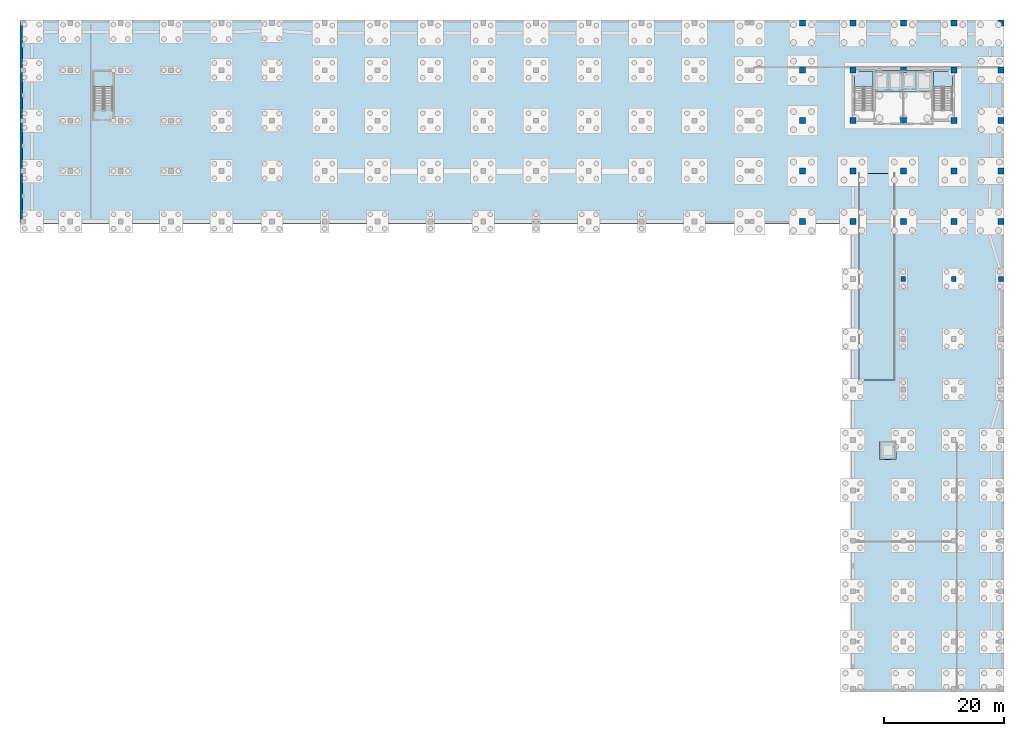
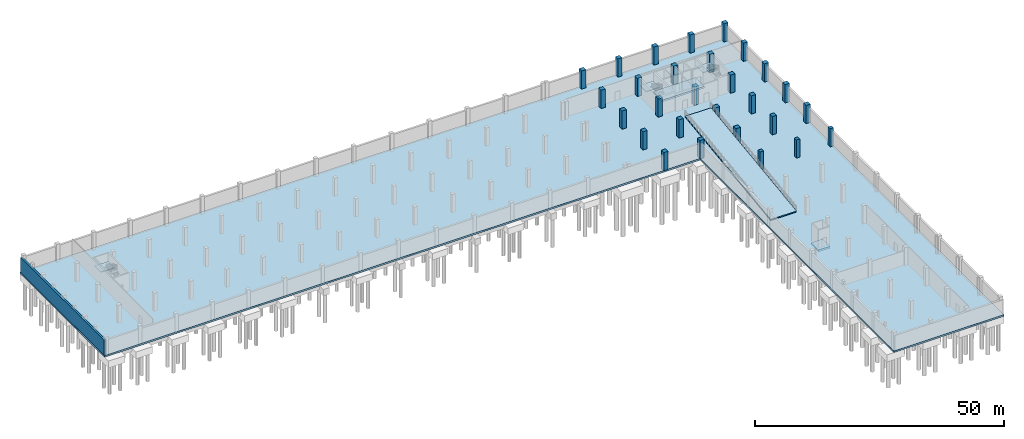
# One storey, part 8 of 18: 28 columns, 7 slabs, 1 wall, 3 elements without a shape of their own.
"""IFC4 building model written with IfcOpenShell, lengths in metres."""

from ifc_helpers import new_model, si_unit, direction, frame, frame_2d, origin, origin_2d, place, context, subcontext, project, spatial, polyline, rectangle, outline, extrude, material, layer, layer_set, material_profile, profile_set, type_object, element, aggregate, save


model = new_model("IFC4")

# Units and contexts
model_context = context("Model", 3, precision=1e-05, world=origin(), true_north=direction((0.0, 1.0)))
body_context = subcontext(model_context, "Body", "Model", "MODEL_VIEW")
ifc_project = project(units=[si_unit("LENGTHUNIT", "METRE"), si_unit("AREAUNIT", "SQUARE_METRE"), si_unit("VOLUMEUNIT", "CUBIC_METRE"), si_unit("PLANEANGLEUNIT", "RADIAN"), si_unit("MASSUNIT", "GRAM", prefix="KILO")], contexts=[model_context])

# Site, building, storey
site_placement = place(None, origin())
site = spatial("IfcSite", under=ifc_project, at=site_placement, CompositionType="ELEMENT")
building_placement = place(site_placement, origin())
building = spatial("IfcBuilding", under=site, at=building_placement, Name="Brinegate Botanical Conservatory", CompositionType="ELEMENT")
storey_placement = place(building_placement, frame((0.0, 0.0, -9.60009765625)))
storey = spatial("IfcBuildingStorey", under=building, at=storey_placement, Name="B2", CompositionType="ELEMENT", Elevation=-9.60009765625)

# Columns
ifc_material_1 = material(Name="Concrete C50/60", Category="concrete")
ifc_material_profile_1 = material_profile(ifc_material_1, rectangle(XDim=1.0, YDim=1.0, at=origin_2d()), Name="RC COL 1000x1000")
ifc_profile_set_1 = profile_set([ifc_material_profile_1], Name="Concrete C50/60")
column_type_1 = type_object("IfcColumnType", Name="Col_C-T1", PredefinedType="COLUMN", material=ifc_profile_set_1)
for number, where, z_axis, x_axis, name in (
    (1, (130.39990234375, 78.39990234375, 0.0), (0.0, 0.0, 1.0), (1.0, 0.0, 0.0), "Column C-T1 B2 K-17"),
    (2, (130.39990234375, 86.800048828125, 0.0), (0.0, 0.0, 1.0), (1.0, 0.0, 0.0), "Column C-T1 B2 L-17"),
    (3, (130.39990234375, 95.199951171875, 0.0), (0.0, 0.0, 1.0), (1.0, 0.0, 0.0), "Column C-T1 B2 M-17"),
    (4, (130.39990234375, 103.60009765625, 0.0), (0.0, 0.0, 1.0), (1.0, 0.0, 0.0), "Column C-T1 B2 N-17"),
    (5, (130.39990234375, 111.449951171875, 0.0), (0.0, 0.0, 1.0), (1.0, 0.0, 0.0), "Column C-T1 B2 P-17"),
    (6, (138.800048828125, 78.39990234375, 0.0), (0.0, 0.0, 1.0), (1.0, 0.0, 0.0), "Column C-T1 B2 K-18"),
    (7, (138.800048828125, 86.800048828125, 0.0), (0.0, 0.0, 1.0), (1.0, 0.0, 0.0), "Column C-T1 B2 L-18"),
    (8, (138.800048828125, 95.199951171875, 0.0), (0.0, 0.0, 1.0), (1.0, 0.0, 0.0), "Column C-T1 B2 M-18"),
    (9, (138.800048828125, 103.60009765625, 0.0), (0.0, 0.0, 1.0), (1.0, 0.0, 0.0), "Column C-T1 B2 N-18"),
    (10, (138.800048828125, 111.449951171875, 0.0), (0.0, 0.0, 1.0), (1.0, 0.0, 0.0), "Column C-T1 B2 P-18"),
    (11, (147.199951171875, 78.39990234375, 0.0), (0.0, 0.0, 1.0), (1.0, 0.0, 0.0), "Column C-T1 B2 K-19"),
    (12, (147.199951171875, 86.800048828125, 0.0), (0.0, 0.0, 1.0), (1.0, 0.0, 0.0), "Column C-T1 B2 L-19"),
    (13, (147.199951171875, 95.199951171875, 0.0), (0.0, 0.0, 1.0), (1.0, 0.0, 0.0), "Column C-T1 B2 M-19"),
    (14, (147.199951171875, 103.60009765625, 0.0), (0.0, 0.0, 1.0), (1.0, 0.0, 0.0), "Column C-T1 B2 N-19"),
    (15, (147.199951171875, 111.449951171875, 0.0), (0.0, 0.0, 1.0), (1.0, 0.0, 0.0), "Column C-T1 B2 P-19"),
    (16, (155.60009765625, 78.39990234375, 0.0), (0.0, 0.0, 1.0), (1.0, 0.0, 0.0), "Column C-T1 B2 K-20"),
    (17, (155.60009765625, 86.800048828125, 0.0), (0.0, 0.0, 1.0), (1.0, 0.0, 0.0), "Column C-T1 B2 L-20"),
    (18, (155.60009765625, 95.199951171875, 0.0), (0.0, 0.0, 1.0), (1.0, 0.0, 0.0), "Column C-T1 B2 M-20"),
    (19, (155.60009765625, 103.60009765625, 0.0), (0.0, 0.0, 1.0), (1.0, 0.0, 0.0), "Column C-T1 B2 N-20"),
    (20, (155.60009765625, 111.449951171875, 0.0), (0.0, 0.0, 1.0), (1.0, 0.0, 0.0), "Column C-T1 B2 P-20"),
    (21, (163.449951171875, 78.39990234375, 0.0), (0.0, 0.0, 1.0), (1.0, 0.0, 0.0), "Column C-T1 B2 K-21"),
    (22, (163.449951171875, 86.800048828125, 0.0), (0.0, 0.0, 1.0), (1.0, 0.0, 0.0), "Column C-T1 B2 L-21"),
    (23, (163.449951171875, 95.199951171875, 0.0), (0.0, 0.0, 1.0), (1.0, 0.0, 0.0), "Column C-T1 B2 M-21"),
    (24, (163.449951171875, 103.60009765625, 0.0), (0.0, 0.0, 1.0), (1.0, 0.0, 0.0), "Column C-T1 B2 N-21"),
    (25, (163.449951171875, 111.449951171875, 0.0), (0.0, 0.0, 1.0), (1.0, 0.0, 0.0), "Column C-T1 B2 P-21"),
):
    element("IfcColumn", number, at=place(storey_placement, frame(where, z_axis=z_axis, x_axis=x_axis)), inside=storey, type_object=column_type_1, Name=name, PredefinedType="COLUMN", context=body_context, shape_type="SweptSolid", body=[
        extrude(rectangle(XDim=1.0, YDim=1.0, at=origin_2d()), origin(), (0.0, 0.0, 1.0), 4.47998046875),
    ])
ifc_material_2 = material(Name="Concrete C40/50", Category="concrete")
ifc_material_profile_2 = material_profile(ifc_material_2, rectangle(XDim=0.800048828125, YDim=0.800048828125, at=origin_2d()), Name="RC COL 800x800")
ifc_profile_set_2 = profile_set([ifc_material_profile_2], Name="Concrete C40/50")
column_type_2 = type_object("IfcColumnType", Name="Col_C-W1", PredefinedType="COLUMN", material=ifc_profile_set_2)
for number, where, z_axis, x_axis, name in (
    (26, (147.199951171875, 68.800048828125, 0.0), (0.0, 0.0, 1.0), (1.0, 0.0, 0.0), "Column C-W1 B2 J-19"),
    (27, (155.60009765625, 68.800048828125, 0.0), (0.0, 0.0, 1.0), (1.0, 0.0, 0.0), "Column C-W1 B2 J-20"),
    (28, (163.449951171875, 68.800048828125, 0.0), (0.0, 0.0, 1.0), (1.0, 0.0, 0.0), "Column C-W1 B2 J-21"),
):
    element("IfcColumn", number, at=place(storey_placement, frame(where, z_axis=z_axis, x_axis=x_axis)), inside=storey, type_object=column_type_2, Name=name, PredefinedType="COLUMN", context=body_context, shape_type="SweptSolid", body=[
        extrude(rectangle(XDim=0.800048828125, YDim=0.800048828125, at=origin_2d()), origin(), (0.0, 0.0, 1.0), 4.47998046875),
    ])

# Slabs
ifc_layer_1 = layer(ifc_material_2, 0.39990234375, Name="Concrete C40/50", Category="concrete")
ifc_layer_set_1 = layer_set([ifc_layer_1], Name="Concrete C40/50")
slab_type_1 = type_object("IfcSlabType", Name="Slab_SL-BS400", PredefinedType="BASESLAB", material=ifc_layer_set_1)
slab_1_placement = place(storey_placement, frame((0.0, 0.0, -0.39990234375)))
element("IfcSlab", 29, at=slab_1_placement, inside=storey, type_object=slab_type_1, Name="Basement B2 waterproof raft base slab", PredefinedType="BASESLAB", context=body_context, shape_type="SweptSolid", body=[
    extrude(outline(polyline([(0.030029296875, 78.02001953125), (138.419921875, 78.02001953125), (138.419921875, 0.030029296875), (163.969970703125, 0.030029296875), (163.969970703125, 111.969970703125), (0.030029296875, 111.969970703125), (0.030029296875, 78.02001953125)])), origin(), (0.0, 0.0, 1.0), 0.39990234375),
])
ifc_layer_2 = layer(ifc_material_2, 0.449951171875, Name="Concrete C40/50", Category="concrete")
ifc_layer_set_2 = layer_set([ifc_layer_2], Name="Concrete C40/50")
slab_type_2 = type_object("IfcSlabType", Name="Slab_SL-BS450", PredefinedType="BASESLAB", material=ifc_layer_set_2)
slab_2_placement = place(storey_placement, frame((0.0, 0.0, -0.849853515625)))
element("IfcSlab", 30, at=slab_2_placement, inside=storey, type_object=slab_type_2, Name="Tower lift bank LF1-LF4 unified pit base slab", PredefinedType="BASESLAB", context=body_context, shape_type="SweptSolid", body=[
    extrude(outline(polyline([(142.300048828125, 100.0), (152.10009765625, 100.0), (152.10009765625, 103.60009765625), (142.300048828125, 103.60009765625), (142.300048828125, 100.0)])), origin(), (0.0, 0.0, 1.0), 0.449951171875),
])
slab_3_placement = place(storey_placement, frame((0.0, 0.0, -0.849853515625)))
element("IfcSlab", 31, at=slab_3_placement, inside=storey, type_object=slab_type_2, Name="Auditorium lift LF6 pit base slab", PredefinedType="BASESLAB", context=body_context, shape_type="SweptSolid", body=[
    extrude(outline(polyline([(143.25, 38.75), (145.949951171875, 38.75), (145.949951171875, 41.75), (143.25, 41.75), (143.25, 38.75)])), origin(), (0.0, 0.0, 1.0), 0.449951171875),
])

# Stair, slab
stair_type = type_object("IfcStairType", Name="Stair_HT-4800", PredefinedType="HALF_TURN_STAIR", material=ifc_material_2)
stair_1_placement = place(storey_placement, origin())
stair_1 = element("IfcStair", 32, at=stair_1_placement, inside=storey, type_object=stair_type, Name="B2 Tower West Smoke-Proof Stair ST1", PredefinedType="HALF_TURN_STAIR")
ifc_layer_3 = layer(ifc_material_2, 0.199951171875, Name="Concrete C40/50", Category="concrete")
ifc_layer_set_3 = layer_set([ifc_layer_3], Name="Concrete C40/50")
slab_type_3 = type_object("IfcSlabType", Name="Slab_SL-LD200", PredefinedType="LANDING", material=ifc_layer_set_3)
slab_4_placement = place(storey_placement, frame((0.0, 0.0, 2.2001953125)))
slab_4 = element("IfcSlab", 33, at=slab_4_placement, type_object=slab_type_3, Name="ST1 landing 1", PredefinedType="LANDING", context=body_context, shape_type="SweptSolid", body=[
    extrude(outline(polyline([(142.14990234375, 100.820068359375), (142.14990234375, 103.35009765625), (139.050048828125, 103.35009765625), (139.050048828125, 100.820068359375), (142.14990234375, 100.820068359375)])), origin(), (0.0, 0.0, 1.0), 0.199951171875),
])
aggregate(stair_1, [slab_4])

stair_2_placement = place(storey_placement, origin())
stair_2 = element("IfcStair", 34, at=stair_2_placement, inside=storey, type_object=stair_type, Name="B2 Tower East Smoke-Proof Stair ST2", PredefinedType="HALF_TURN_STAIR")
slab_5_placement = place(storey_placement, frame((0.0, 0.0, 2.2001953125)))
slab_5 = element("IfcSlab", 35, at=slab_5_placement, type_object=slab_type_3, Name="ST2 landing 1", PredefinedType="LANDING", context=body_context, shape_type="SweptSolid", body=[
    extrude(outline(polyline([(155.35009765625, 100.820068359375), (155.35009765625, 103.35009765625), (152.25, 103.35009765625), (152.25, 100.820068359375), (155.35009765625, 100.820068359375)])), origin(), (0.0, 0.0, 1.0), 0.199951171875),
])
aggregate(stair_2, [slab_5])

stair_3_placement = place(storey_placement, origin())
stair_3 = element("IfcStair", 36, at=stair_3_placement, inside=storey, type_object=stair_type, Name="B2 West Basement Car-Park Smoke-Proof Stair ST8", PredefinedType="HALF_TURN_STAIR")
slab_6_placement = place(storey_placement, frame((0.0, 0.0, 2.2001953125)))
slab_6 = element("IfcSlab", 37, at=slab_6_placement, type_object=slab_type_3, Name="ST8 landing 1", PredefinedType="LANDING", context=body_context, shape_type="SweptSolid", body=[
    extrude(outline(polyline([(15.5, 100.820068359375), (15.5, 103.35009765625), (12.39990234375, 103.35009765625), (12.39990234375, 100.820068359375), (15.5, 100.820068359375)])), origin(), (0.0, 0.0, 1.0), 0.199951171875),
])
aggregate(stair_3, [slab_6])

# Slab
ifc_layer_4 = layer(ifc_material_2, 0.280029296875, Name="Concrete C40/50", Category="concrete")
ifc_layer_set_4 = layer_set([ifc_layer_4], Name="Concrete C40/50")
slab_type_4 = type_object("IfcSlabType", Name="Slab_VR-280", PredefinedType="USERDEFINED", material=ifc_layer_set_4)
slab_7_placement = place(storey_placement, frame((139.800048828125, 86.39892578125, 4.800048828125), z_axis=(0.0, -0.130134857356, 0.991496303019), x_axis=(1.0, 0.0, 0.0)))
element("IfcSlab", 38, at=slab_7_placement, inside=storey, type_object=slab_type_4, Name="Car park two-way vehicle ramp VR-02 structural concrete slab", ObjectType="VEHICLE RAMP", PredefinedType="USERDEFINED", context=body_context, shape_type="SweptSolid", body=[
    extrude(outline(polyline([(0.0, 0.0), (6.0, 0.0), (6.0, -34.69395264157652), (0.0, -34.69395264157652), (0.0, 0.0)])), origin(), (0.0, 0.0, -1.0), 0.280029296875),
])

# Wall
ifc_layer_5 = layer(ifc_material_1, 0.449951171875, Name="Concrete C50/60", Category="concrete")
ifc_layer_set_5 = layer_set([ifc_layer_5], Name="Concrete C50/60")
wall_type = type_object("IfcWallType", Name="Wall_SW-450", PredefinedType="SHEAR", material=ifc_layer_set_5)
wall_placement = place(storey_placement, frame((0.260009765625, 111.739990234375, 0.0), z_axis=(0.0, 0.0, 1.0), x_axis=(0.0, -1.0, 0.0)))
element("IfcWall", 39, at=wall_placement, inside=storey, type_object=wall_type, Name="Basement perimeter retaining shear wall B2.6", PredefinedType="SHEAR", context=body_context, shape_type="SweptSolid", body=[
    extrude(rectangle(XDim=33.489990234375, YDim=0.449951171875, at=frame_2d((16.7451171875, 0.0))), origin(), (0.0, 0.0, 1.0), 3.7001953125),
])

save(model, "model.ifc")
